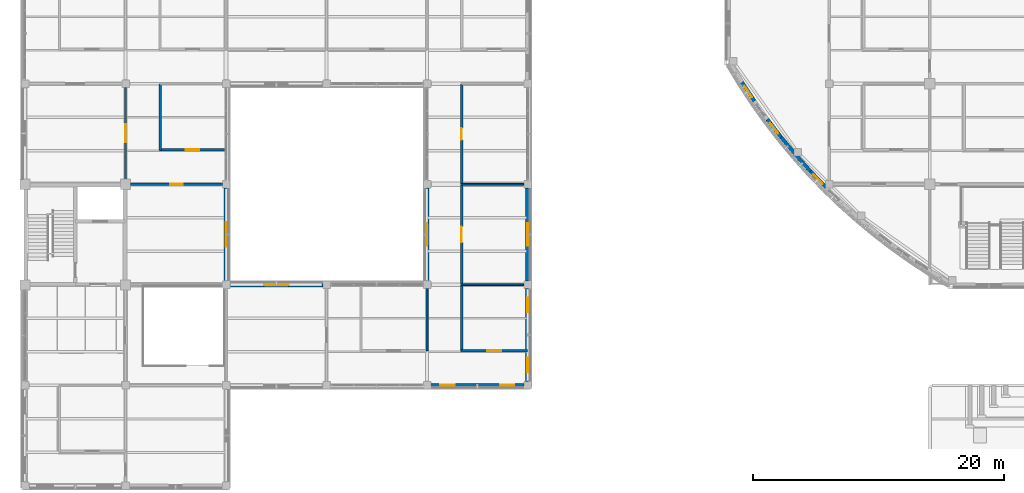
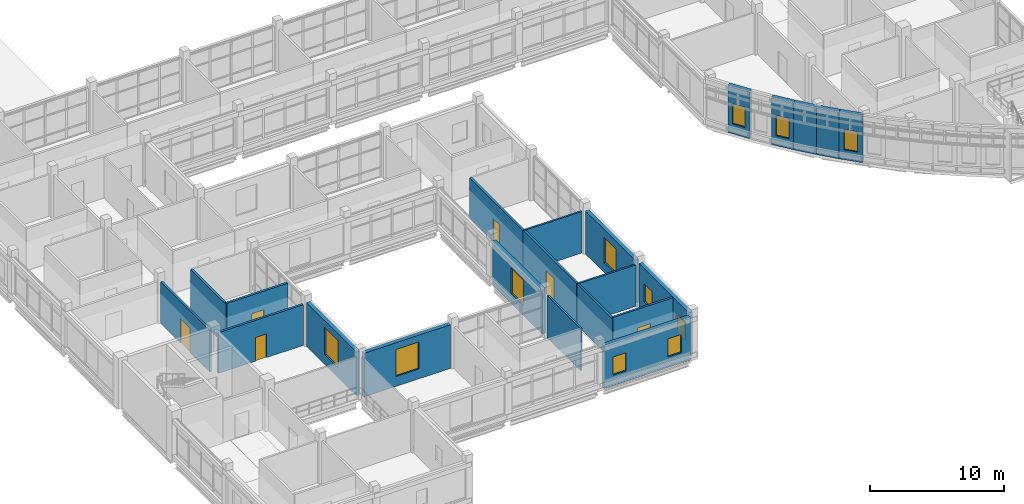
# One storey, part 77 of 121: 22 walls, 11 windows, 6 doors, 17 openings.
"""IFC4 building model written with IfcOpenShell, lengths in metres."""

from ifc_helpers import new_model, si_unit, derived_unit, direction, frame, frame_2d, origin, place, context, subcontext, project, spatial, rectangle, extrude, material, layer, layer_set, type_object, element, fill, save


model = new_model("IFC4")

# Units and contexts
model_context = context("Model", 3, precision=1e-05, world=origin(), true_north=direction((0.0, 1.0)))
body_context = subcontext(model_context, "Body", "Model", "MODEL_VIEW")
ifc_project = project(units=[si_unit("LENGTHUNIT", "METRE"), si_unit("AREAUNIT", "SQUARE_METRE"), si_unit("VOLUMEUNIT", "CUBIC_METRE"), si_unit("PLANEANGLEUNIT", "RADIAN"), si_unit("MASSUNIT", "GRAM", prefix="KILO"), derived_unit("THERMALTRANSMITTANCEUNIT", [(si_unit("MASSUNIT", "GRAM", prefix="KILO"), 1), (si_unit("TIMEUNIT", "SECOND"), -3), (si_unit("THERMODYNAMICTEMPERATUREUNIT", "KELVIN"), -1)])], contexts=[model_context])

# Site, building, storey
site_placement = place(None, origin())
site = spatial("IfcSite", under=ifc_project, at=site_placement, CompositionType="ELEMENT")
building_placement = place(site_placement, origin())
building = spatial("IfcBuilding", under=site, at=building_placement, Name="Veyamyaing Civic Hall", CompositionType="ELEMENT")
storey_placement = place(building_placement, frame((0.0, 0.0, 5.280029296875)))
storey = spatial("IfcBuildingStorey", under=building, at=storey_placement, Name="L01", CompositionType="ELEMENT", Elevation=5.280029296875)

# Wall, opening, window
ifc_material_1 = material(Name="Precast concrete C40/50", Category="concrete")
ifc_layer_1 = layer(ifc_material_1, 0.320068359375, Name="Precast concrete C40/50")
ifc_layer_set_1 = layer_set([ifc_layer_1], Name="Precast concrete C40/50")
wall_type_1 = type_object("IfcWallType", Name="WT-02", PredefinedType="SOLIDWALL", material=ifc_layer_set_1)
wall_1_placement = place(storey_placement, frame((16.0, 16.284912109375, 0.0), z_axis=(0.0, 0.0, 1.0), x_axis=(0.0, 1.0, 0.0)))
wall_1 = element("IfcWall", 1, at=wall_1_placement, inside=storey, type_object=wall_type_1, Name="Exterior facade wall WT-02 L01 E 2.3", PredefinedType="SOLIDWALL", context=body_context, shape_type="SweptSolid", body=[
    extrude(rectangle(XDim=7.43017578125, YDim=0.320068359375, at=frame_2d((3.715087890625, 0.0))), origin(), (0.0, 0.0, 1.0), 3.973876953125),
])
opening_1_placement = place(wall_1_placement, frame((2.739990234375, 0.0, 0.89990234375)))
opening_1 = element("IfcOpeningElement", 2, at=opening_1_placement, cuts=wall_1, Name="Opening W-26", PredefinedType="OPENING", context=body_context, shape_type="SweptSolid", body=[
    extrude(rectangle(XDim=1.949951171875, YDim=2.449951171875, at=frame_2d((0.97509765625, 1.22509765625))), frame((0.0, 0.169921875, 0.0), z_axis=(0.0, -1.0, 0.0), x_axis=(1.0, 0.0, 0.0)), (0.0, 0.0, 1.0), 0.340087890625),
])
ifc_material_2 = material(Name="Low-E insulated glass", Category="glass")
window_type_1 = type_object("IfcWindowType", Name="W-26", PartitioningType="SINGLE_PANEL", PredefinedType="WINDOW", material=ifc_material_2)
window_1_placement = place(opening_1_placement, origin())
window_1 = element("IfcWindow", 3, at=window_1_placement, inside=storey, type_object=window_type_1, Name="Facade window W-26 L01 E 2.3", OverallHeight=2.449951171875, OverallWidth=1.949951171875, PartitioningType="SINGLE_PANEL", PredefinedType="WINDOW", context=body_context, shape_type="SweptSolid", body=[
    extrude(rectangle(XDim=1.949951171875, YDim=2.449951171875, at=frame_2d((0.97509765625, 1.22509765625))), frame((0.0, 0.030029296875, 0.0), z_axis=(0.0, -1.0, 0.0), x_axis=(1.0, 0.0, 0.0)), (0.0, 0.0, 1.0), 0.06005859375),
])
fill(opening_1, window_1)

wall_2_placement = place(storey_placement, frame((16.284912109375, 16.0, 0.0), z_axis=(0.0, 0.0, 1.0), x_axis=(1.0, 0.0, 0.0)))
wall_2 = element("IfcWall", 4, at=wall_2_placement, inside=storey, type_object=wall_type_1, Name="Exterior facade wall WT-02 L01 N 3.2", PredefinedType="SOLIDWALL", context=body_context, shape_type="SweptSolid", body=[
    extrude(rectangle(XDim=7.43017578125, YDim=0.320068359375, at=frame_2d((3.715087890625, 0.0))), origin(), (0.0, 0.0, 1.0), 3.973876953125),
])
opening_2_placement = place(wall_2_placement, frame((2.739990234375, 0.0, 0.89990234375)))
opening_2 = element("IfcOpeningElement", 5, at=opening_2_placement, cuts=wall_2, Name="Opening W-26", PredefinedType="OPENING", context=body_context, shape_type="SweptSolid", body=[
    extrude(rectangle(XDim=1.949951171875, YDim=2.449951171875, at=frame_2d((0.97509765625, 1.22509765625))), frame((0.0, 0.169921875, 0.0), z_axis=(0.0, -1.0, 0.0), x_axis=(1.0, 0.0, 0.0)), (0.0, 0.0, 1.0), 0.340087890625),
])
window_2_placement = place(opening_2_placement, origin())
window_2 = element("IfcWindow", 6, at=window_2_placement, inside=storey, type_object=window_type_1, Name="Facade window W-26 L01 N 3.2", OverallHeight=2.449951171875, OverallWidth=1.949951171875, PartitioningType="SINGLE_PANEL", PredefinedType="WINDOW", context=body_context, shape_type="SweptSolid", body=[
    extrude(rectangle(XDim=1.949951171875, YDim=2.449951171875, at=frame_2d((0.97509765625, 1.22509765625))), frame((0.0, 0.030029296875, 0.0), z_axis=(0.0, -1.0, 0.0), x_axis=(1.0, 0.0, 0.0)), (0.0, 0.0, 1.0), 0.06005859375),
])
fill(opening_2, window_2)

# Wall, openings, windows
wall_3_placement = place(storey_placement, frame((32.284912109375, 8.0, 0.0), z_axis=(0.0, 0.0, 1.0), x_axis=(1.0, 0.0, 0.0)))
wall_3 = element("IfcWall", 7, at=wall_3_placement, inside=storey, type_object=wall_type_1, Name="Exterior facade wall WT-02 L01 S 5.2", PredefinedType="SOLIDWALL", context=body_context, shape_type="SweptSolid", body=[
    extrude(rectangle(XDim=7.43017578125, YDim=0.320068359375, at=frame_2d((3.715087890625, 0.0))), origin(), (0.0, 0.0, 1.0), 3.9140625),
])
opening_3_placement = place(wall_3_placement, frame((0.762451171875, 0.0, 0.949951171875)))
opening_3 = element("IfcOpeningElement", 8, at=opening_3_placement, cuts=wall_3, Name="Opening W-32", PredefinedType="OPENING", context=body_context, shape_type="SweptSolid", body=[
    extrude(rectangle(XDim=1.14990234375, YDim=1.64990234375, at=frame_2d((0.574951171875, 0.824951171875))), frame((0.0, 0.169921875, 0.0), z_axis=(0.0, -1.0, 0.0), x_axis=(1.0, 0.0, 0.0)), (0.0, 0.0, 1.0), 0.340087890625),
])
opening_4_placement = place(wall_3_placement, frame((5.517578125, 0.0, 0.949951171875)))
opening_4 = element("IfcOpeningElement", 9, at=opening_4_placement, cuts=wall_3, Name="Opening W-32", PredefinedType="OPENING", context=body_context, shape_type="SweptSolid", body=[
    extrude(rectangle(XDim=1.14990234375, YDim=1.64990234375, at=frame_2d((0.574951171875, 0.824951171875))), frame((0.0, 0.169921875, 0.0), z_axis=(0.0, -1.0, 0.0), x_axis=(1.0, 0.0, 0.0)), (0.0, 0.0, 1.0), 0.340087890625),
])
window_type_2 = type_object("IfcWindowType", Name="W-32", PartitioningType="SINGLE_PANEL", PredefinedType="WINDOW", material=ifc_material_2)
window_3_placement = place(opening_3_placement, origin())
window_3 = element("IfcWindow", 10, at=window_3_placement, inside=storey, type_object=window_type_2, Name="Facade window W-32 L01 S 5.2.1", OverallHeight=1.64990234375, OverallWidth=1.14990234375, PartitioningType="SINGLE_PANEL", PredefinedType="WINDOW", context=body_context, shape_type="SweptSolid", body=[
    extrude(rectangle(XDim=1.14990234375, YDim=1.64990234375, at=frame_2d((0.574951171875, 0.824951171875))), frame((0.0, 0.030029296875, 0.0), z_axis=(0.0, -1.0, 0.0), x_axis=(1.0, 0.0, 0.0)), (0.0, 0.0, 1.0), 0.06005859375),
])
fill(opening_3, window_3)
window_4_placement = place(opening_4_placement, origin())
window_4 = element("IfcWindow", 11, at=window_4_placement, inside=storey, type_object=window_type_2, Name="Facade window W-32 L01 S 5.2.2", OverallHeight=1.64990234375, OverallWidth=1.14990234375, PartitioningType="SINGLE_PANEL", PredefinedType="WINDOW", context=body_context, shape_type="SweptSolid", body=[
    extrude(rectangle(XDim=1.14990234375, YDim=1.64990234375, at=frame_2d((0.574951171875, 0.824951171875))), frame((0.0, 0.030029296875, 0.0), z_axis=(0.0, -1.0, 0.0), x_axis=(1.0, 0.0, 0.0)), (0.0, 0.0, 1.0), 0.06005859375),
])
fill(opening_4, window_4)

wall_4_placement = place(storey_placement, frame((40.0, 8.284912109375, 0.0), z_axis=(0.0, 0.0, 1.0), x_axis=(0.0, 1.0, 0.0)))
wall_4 = element("IfcWall", 12, at=wall_4_placement, inside=storey, type_object=wall_type_1, Name="Exterior facade wall WT-02 L01 E 5.2", PredefinedType="SOLIDWALL", context=body_context, shape_type="SweptSolid", body=[
    extrude(rectangle(XDim=7.43017578125, YDim=0.320068359375, at=frame_2d((3.715087890625, 0.0))), origin(), (0.0, 0.0, 1.0), 3.97705078125),
])
opening_5_placement = place(wall_4_placement, frame((0.762451171875, 0.0, 0.949951171875)))
opening_5 = element("IfcOpeningElement", 13, at=opening_5_placement, cuts=wall_4, Name="Opening W-32", PredefinedType="OPENING", context=body_context, shape_type="SweptSolid", body=[
    extrude(rectangle(XDim=1.14990234375, YDim=1.64990234375, at=frame_2d((0.574951171875, 0.824951171875))), frame((0.0, 0.169921875, 0.0), z_axis=(0.0, -1.0, 0.0), x_axis=(1.0, 0.0, 0.0)), (0.0, 0.0, 1.0), 0.340087890625),
])
opening_6_placement = place(wall_4_placement, frame((5.517578125, 0.0, 0.949951171875)))
opening_6 = element("IfcOpeningElement", 14, at=opening_6_placement, cuts=wall_4, Name="Opening W-32", PredefinedType="OPENING", context=body_context, shape_type="SweptSolid", body=[
    extrude(rectangle(XDim=1.14990234375, YDim=1.64990234375, at=frame_2d((0.574951171875, 0.824951171875))), frame((0.0, 0.169921875, 0.0), z_axis=(0.0, -1.0, 0.0), x_axis=(1.0, 0.0, 0.0)), (0.0, 0.0, 1.0), 0.340087890625),
])
window_5_placement = place(opening_5_placement, origin())
window_5 = element("IfcWindow", 15, at=window_5_placement, inside=storey, type_object=window_type_2, Name="Facade window W-32 L01 E 5.2.1", OverallHeight=1.64990234375, OverallWidth=1.14990234375, PartitioningType="SINGLE_PANEL", PredefinedType="WINDOW", context=body_context, shape_type="SweptSolid", body=[
    extrude(rectangle(XDim=1.14990234375, YDim=1.64990234375, at=frame_2d((0.574951171875, 0.824951171875))), frame((0.0, 0.030029296875, 0.0), z_axis=(0.0, -1.0, 0.0), x_axis=(1.0, 0.0, 0.0)), (0.0, 0.0, 1.0), 0.06005859375),
])
fill(opening_5, window_5)
window_6_placement = place(opening_6_placement, origin())
window_6 = element("IfcWindow", 16, at=window_6_placement, inside=storey, type_object=window_type_2, Name="Facade window W-32 L01 E 5.2.2", OverallHeight=1.64990234375, OverallWidth=1.14990234375, PartitioningType="SINGLE_PANEL", PredefinedType="WINDOW", context=body_context, shape_type="SweptSolid", body=[
    extrude(rectangle(XDim=1.14990234375, YDim=1.64990234375, at=frame_2d((0.574951171875, 0.824951171875))), frame((0.0, 0.030029296875, 0.0), z_axis=(0.0, -1.0, 0.0), x_axis=(1.0, 0.0, 0.0)), (0.0, 0.0, 1.0), 0.06005859375),
])
fill(opening_6, window_6)

# Wall, opening, window
wall_5_placement = place(storey_placement, frame((32.0, 16.284912109375, 0.0), z_axis=(0.0, 0.0, 1.0), x_axis=(0.0, 1.0, 0.0)))
wall_5 = element("IfcWall", 17, at=wall_5_placement, inside=storey, type_object=wall_type_1, Name="Exterior facade wall WT-02 L01 W 5.3", PredefinedType="SOLIDWALL", context=body_context, shape_type="SweptSolid", body=[
    extrude(rectangle(XDim=7.43017578125, YDim=0.320068359375, at=frame_2d((3.715087890625, 0.0))), origin(), (0.0, 0.0, 1.0), 3.97705078125),
])
opening_7_placement = place(wall_5_placement, frame((2.81494140625, 0.0, 0.89990234375)))
opening_7 = element("IfcOpeningElement", 18, at=opening_7_placement, cuts=wall_5, Name="Opening W-06", PredefinedType="OPENING", context=body_context, shape_type="SweptSolid", body=[
    extrude(rectangle(XDim=1.800048828125, YDim=2.300048828125, at=frame_2d((0.89990234375, 1.14990234375))), frame((0.0, 0.169921875, 0.0), z_axis=(0.0, -1.0, 0.0), x_axis=(1.0, 0.0, 0.0)), (0.0, 0.0, 1.0), 0.340087890625),
])
window_type_3 = type_object("IfcWindowType", Name="W-06", PartitioningType="SINGLE_PANEL", PredefinedType="WINDOW", material=ifc_material_2)
window_7_placement = place(opening_7_placement, origin())
window_7 = element("IfcWindow", 19, at=window_7_placement, inside=storey, type_object=window_type_3, Name="Facade window W-06 L01 W 5.3", OverallHeight=2.300048828125, OverallWidth=1.800048828125, PartitioningType="SINGLE_PANEL", PredefinedType="WINDOW", context=body_context, shape_type="SweptSolid", body=[
    extrude(rectangle(XDim=1.800048828125, YDim=2.300048828125, at=frame_2d((0.89990234375, 1.14990234375))), frame((0.0, 0.030029296875, 0.0), z_axis=(0.0, -1.0, 0.0), x_axis=(1.0, 0.0, 0.0)), (0.0, 0.0, 1.0), 0.06005859375),
])
fill(opening_7, window_7)

wall_6_placement = place(storey_placement, frame((40.0, 16.284912109375, 0.0), z_axis=(0.0, 0.0, 1.0), x_axis=(0.0, 1.0, 0.0)))
wall_6 = element("IfcWall", 20, at=wall_6_placement, inside=storey, type_object=wall_type_1, Name="Exterior facade wall WT-02 L01 E 5.3", PredefinedType="SOLIDWALL", context=body_context, shape_type="SweptSolid", body=[
    extrude(rectangle(XDim=7.43017578125, YDim=0.320068359375, at=frame_2d((3.715087890625, 0.0))), origin(), (0.0, 0.0, 1.0), 3.909912109375),
])
opening_8_placement = place(wall_6_placement, frame((2.81494140625, 0.0, 0.89990234375)))
opening_8 = element("IfcOpeningElement", 21, at=opening_8_placement, cuts=wall_6, Name="Opening W-06", PredefinedType="OPENING", context=body_context, shape_type="SweptSolid", body=[
    extrude(rectangle(XDim=1.800048828125, YDim=2.300048828125, at=frame_2d((0.89990234375, 1.14990234375))), frame((0.0, 0.169921875, 0.0), z_axis=(0.0, -1.0, 0.0), x_axis=(1.0, 0.0, 0.0)), (0.0, 0.0, 1.0), 0.340087890625),
])
window_8_placement = place(opening_8_placement, origin())
window_8 = element("IfcWindow", 22, at=window_8_placement, inside=storey, type_object=window_type_3, Name="Facade window W-06 L01 E 5.3", OverallHeight=2.300048828125, OverallWidth=1.800048828125, PartitioningType="SINGLE_PANEL", PredefinedType="WINDOW", context=body_context, shape_type="SweptSolid", body=[
    extrude(rectangle(XDim=1.800048828125, YDim=2.300048828125, at=frame_2d((0.89990234375, 1.14990234375))), frame((0.0, 0.030029296875, 0.0), z_axis=(0.0, -1.0, 0.0), x_axis=(1.0, 0.0, 0.0)), (0.0, 0.0, 1.0), 0.06005859375),
])
fill(opening_8, window_8)

ifc_layer_2 = layer(ifc_material_1, 0.304931640625, Name="Precast concrete C40/50")
ifc_layer_set_2 = layer_set([ifc_layer_2], Name="Precast concrete C40/50")
wall_type_2 = type_object("IfcWallType", Name="WT-03", PredefinedType="SOLIDWALL", material=ifc_layer_set_2)
wall_7_placement = place(storey_placement, frame((57.05615234375, 32.11669921875, 0.0), z_axis=(0.0, 0.0, 1.0), x_axis=(0.547681678944, -0.836686786408, 0.0)))
wall_7 = element("IfcWall", 23, at=wall_7_placement, inside=storey, type_object=wall_type_2, Name="Curved corner facade wall WT-03 L01 SW.2", PredefinedType="SOLIDWALL", context=body_context, shape_type="SweptSolid", body=[
    extrude(rectangle(XDim=1.795166015625, YDim=0.304931640625, at=frame_2d((0.8974609375, 0.0))), origin(), (0.0, 0.0, 1.0), 4.3349609375),
])
opening_9_placement = place(wall_7_placement, frame((0.37255859375, 0.0, 0.89990234375)))
opening_9 = element("IfcOpeningElement", 24, at=opening_9_placement, cuts=wall_7, Name="Opening W-16", PredefinedType="OPENING", context=body_context, shape_type="SweptSolid", body=[
    extrude(rectangle(XDim=1.050048828125, YDim=1.85009765625, at=frame_2d((0.52490234375, 0.925048828125))), frame((0.0, 0.162353515625, 0.0), z_axis=(0.0, -1.0, 0.0), x_axis=(1.0, 0.0, 0.0)), (0.0, 0.0, 1.0), 0.324951171875),
])
window_type_4 = type_object("IfcWindowType", Name="W-16", PartitioningType="SINGLE_PANEL", PredefinedType="WINDOW", material=ifc_material_2)
window_9_placement = place(opening_9_placement, origin())
window_9 = element("IfcWindow", 25, at=window_9_placement, inside=storey, type_object=window_type_4, Name="Curved ribbon window W-16 L01 SW.2", OverallHeight=1.85009765625, OverallWidth=1.050048828125, PartitioningType="SINGLE_PANEL", PredefinedType="WINDOW", context=body_context, shape_type="SweptSolid", body=[
    extrude(rectangle(XDim=1.050048828125, YDim=1.85009765625, at=frame_2d((0.52490234375, 0.925048828125))), frame((0.0, 0.030029296875, 0.0), z_axis=(0.0, -1.0, 0.0), x_axis=(1.0, 0.0, 0.0)), (0.0, 0.0, 1.0), 0.06005859375),
])
fill(opening_9, window_9)

wall_8_placement = place(storey_placement, frame((59.071533203125, 29.16015625, 0.0), z_axis=(0.0, 0.0, 1.0), x_axis=(0.608776981616, -0.793341406114, 0.0)))
wall_8 = element("IfcWall", 26, at=wall_8_placement, inside=storey, type_object=wall_type_2, Name="Curved corner facade wall WT-03 L01 SW.4", PredefinedType="SOLIDWALL", context=body_context, shape_type="SweptSolid", body=[
    extrude(rectangle(XDim=1.794921875, YDim=0.304931640625, at=frame_2d((0.8974609375, 0.0))), origin(), (0.0, 0.0, 1.0), 4.3349609375),
])
opening_10_placement = place(wall_8_placement, frame((0.37255859375, 0.0, 0.89990234375)))
opening_10 = element("IfcOpeningElement", 27, at=opening_10_placement, cuts=wall_8, Name="Opening W-16", PredefinedType="OPENING", context=body_context, shape_type="SweptSolid", body=[
    extrude(rectangle(XDim=1.050048828125, YDim=1.85009765625, at=frame_2d((0.52490234375, 0.925048828125))), frame((0.0, 0.162353515625, 0.0), z_axis=(0.0, -1.0, 0.0), x_axis=(1.0, 0.0, 0.0)), (0.0, 0.0, 1.0), 0.324951171875),
])
window_10_placement = place(opening_10_placement, origin())
window_10 = element("IfcWindow", 28, at=window_10_placement, inside=storey, type_object=window_type_4, Name="Curved ribbon window W-16 L01 SW.4", OverallHeight=1.85009765625, OverallWidth=1.050048828125, PartitioningType="SINGLE_PANEL", PredefinedType="WINDOW", context=body_context, shape_type="SweptSolid", body=[
    extrude(rectangle(XDim=1.050048828125, YDim=1.85009765625, at=frame_2d((0.52490234375, 0.925048828125))), frame((0.0, 0.030029296875, 0.0), z_axis=(0.0, -1.0, 0.0), x_axis=(1.0, 0.0, 0.0)), (0.0, 0.0, 1.0), 0.06005859375),
])
fill(opening_10, window_10)

# Walls
wall_9_placement = place(storey_placement, frame((60.16064453125, 27.740478515625, 0.0), z_axis=(0.0, 0.0, 1.0), x_axis=(0.638054732073, -0.769991012207, 0.0)))
element("IfcWall", 29, at=wall_9_placement, inside=storey, type_object=wall_type_2, Name="Curved corner facade wall WT-03 L01 SW.5", PredefinedType="SOLIDWALL", context=body_context, shape_type="SweptSolid", body=[
    extrude(rectangle(XDim=1.794921875, YDim=0.304931640625, at=frame_2d((0.8974609375, 0.0))), origin(), (0.0, 0.0, 1.0), 4.3349609375),
])
wall_10_placement = place(storey_placement, frame((61.30224609375, 26.36279296875, 0.0), z_axis=(0.0, 0.0, 1.0), x_axis=(0.666277888361, -0.745703543965, 0.0)))
element("IfcWall", 30, at=wall_10_placement, inside=storey, type_object=wall_type_2, Name="Curved corner facade wall WT-03 L01 SW.6", PredefinedType="SOLIDWALL", context=body_context, shape_type="SweptSolid", body=[
    extrude(rectangle(XDim=1.795166015625, YDim=0.304931640625, at=frame_2d((0.8974609375, 0.0))), origin(), (0.0, 0.0, 1.0), 4.3349609375),
])

# Wall, opening, window
wall_11_placement = place(storey_placement, frame((62.494384765625, 25.028564453125, 0.0), z_axis=(0.0, 0.0, 1.0), x_axis=(0.693722700342, -0.720242191926, 0.0)))
wall_11 = element("IfcWall", 31, at=wall_11_placement, inside=storey, type_object=wall_type_2, Name="Curved corner facade wall WT-03 L01 SW.7", PredefinedType="SOLIDWALL", context=body_context, shape_type="SweptSolid", body=[
    extrude(rectangle(XDim=1.795166015625, YDim=0.304931640625, at=frame_2d((0.8974609375, 0.0))), origin(), (0.0, 0.0, 1.0), 4.3349609375),
])
opening_11_placement = place(wall_11_placement, frame((0.37255859375, 0.0, 0.89990234375)))
opening_11 = element("IfcOpeningElement", 32, at=opening_11_placement, cuts=wall_11, Name="Opening W-16", PredefinedType="OPENING", context=body_context, shape_type="SweptSolid", body=[
    extrude(rectangle(XDim=1.050048828125, YDim=1.85009765625, at=frame_2d((0.52490234375, 0.925048828125))), frame((0.0, 0.162353515625, 0.0), z_axis=(0.0, -1.0, 0.0), x_axis=(1.0, 0.0, 0.0)), (0.0, 0.0, 1.0), 0.324951171875),
])
window_11_placement = place(opening_11_placement, origin())
window_11 = element("IfcWindow", 33, at=window_11_placement, inside=storey, type_object=window_type_4, Name="Curved ribbon window W-16 L01 SW.7", OverallHeight=1.85009765625, OverallWidth=1.050048828125, PartitioningType="SINGLE_PANEL", PredefinedType="WINDOW", context=body_context, shape_type="SweptSolid", body=[
    extrude(rectangle(XDim=1.050048828125, YDim=1.85009765625, at=frame_2d((0.52490234375, 0.925048828125))), frame((0.0, 0.030029296875, 0.0), z_axis=(0.0, -1.0, 0.0), x_axis=(1.0, 0.0, 0.0)), (0.0, 0.0, 1.0), 0.06005859375),
])
fill(opening_11, window_11)

# Wall, opening, door
ifc_material_3 = material(Name="Gypsum board on acoustic steel stud", Category="steel")
ifc_layer_3 = layer(ifc_material_3, 0.175048828125, Name="Gypsum board on acoustic steel stud")
ifc_layer_set_3 = layer_set([ifc_layer_3], Name="Gypsum board on acoustic steel stud")
wall_type_3 = type_object("IfcWallType", Name="WT-07", PredefinedType="PARTITIONING", material=ifc_layer_set_3)
wall_12_placement = place(storey_placement, frame((34.699951171875, 10.75, 0.0), z_axis=(0.0, 0.0, 1.0), x_axis=(1.0, 0.0, 0.0)))
wall_12 = element("IfcWall", 34, at=wall_12_placement, inside=storey, type_object=wall_type_3, Name="Corridor gallery partition WT-07 L01.25.1", PredefinedType="PARTITIONING", context=body_context, shape_type="SweptSolid", body=[
    extrude(rectangle(XDim=5.280029296875, YDim=0.175048828125, at=frame_2d((2.64013671875, 0.0))), origin(), (0.0, 0.0, 1.0), 3.9130859375),
])
opening_12_placement = place(wall_12_placement, frame((2.080078125, 0.0, 0.0)))
opening_12 = element("IfcOpeningElement", 35, at=opening_12_placement, cuts=wall_12, Name="Opening D-26", PredefinedType="OPENING", context=body_context, shape_type="SweptSolid", body=[
    extrude(rectangle(XDim=1.1201171875, YDim=2.219970703125, at=frame_2d((0.56005859375, 1.10986328125))), frame((0.0, 0.097412109375, 0.0), z_axis=(0.0, -1.0, 0.0), x_axis=(1.0, 0.0, 0.0)), (0.0, 0.0, 1.0), 0.195068359375),
])
ifc_material_4 = material(Name="Teak-veneered acoustic timber", Category="wood")
door_type_1 = type_object("IfcDoorType", Name="D-26", OperationType="NOTDEFINED", PredefinedType="DOOR", material=ifc_material_4)
door_1_placement = place(opening_12_placement, origin())
door_1 = element("IfcDoor", 36, at=door_1_placement, inside=storey, type_object=door_type_1, Name="Gallery office door D-26 L01.25", OperationType="SINGLE_SWING_LEFT", OverallHeight=2.219970703125, OverallWidth=1.1201171875, PredefinedType="DOOR", context=body_context, shape_type="SweptSolid", body=[
    extrude(rectangle(XDim=1.1201171875, YDim=2.219970703125, at=frame_2d((0.56005859375, 1.10986328125))), frame((0.0, 0.02490234375, 0.0), z_axis=(0.0, -1.0, 0.0), x_axis=(1.0, 0.0, 0.0)), (0.0, 0.0, 1.0), 0.050048828125),
])
fill(opening_12, door_1)

# Wall
wall_13_placement = place(storey_placement, frame((34.75, 10.699951171875, 0.0), z_axis=(0.0, 0.0, 1.0), x_axis=(0.0, 1.0, 0.0)))
element("IfcWall", 37, at=wall_13_placement, inside=storey, type_object=wall_type_3, Name="Corridor gallery partition WT-07 L01.25.2", PredefinedType="PARTITIONING", context=body_context, shape_type="SweptSolid", body=[
    extrude(rectangle(XDim=5.280029296875, YDim=0.175048828125, at=frame_2d((2.64013671875, 0.0))), origin(), (0.0, 0.0, 1.0), 3.77099609375),
])

# Wall, opening, door
wall_14_placement = place(storey_placement, frame((34.75, 24.02001953125, 0.0), z_axis=(0.0, 0.0, 1.0), x_axis=(0.0, 1.0, 0.0)))
wall_14 = element("IfcWall", 38, at=wall_14_placement, inside=storey, type_object=wall_type_3, Name="Corridor gallery partition WT-07 L01.27.1", PredefinedType="PARTITIONING", context=body_context, shape_type="SweptSolid", body=[
    extrude(rectangle(XDim=7.9599609375, YDim=0.175048828125, at=frame_2d((3.97998046875, 0.0))), origin(), (0.0, 0.0, 1.0), 3.7119140625),
])
opening_13_placement = place(wall_14_placement, frame((3.510009765625, 0.0, 0.0)))
opening_13 = element("IfcOpeningElement", 39, at=opening_13_placement, cuts=wall_14, Name="Opening D-30", PredefinedType="OPENING", context=body_context, shape_type="SweptSolid", body=[
    extrude(rectangle(XDim=0.93994140625, YDim=2.1201171875, at=frame_2d((0.469970703125, 1.06005859375))), frame((0.0, 0.097412109375, 0.0), z_axis=(0.0, -1.0, 0.0), x_axis=(1.0, 0.0, 0.0)), (0.0, 0.0, 1.0), 0.195068359375),
])
door_type_2 = type_object("IfcDoorType", Name="D-30", OperationType="NOTDEFINED", PredefinedType="DOOR", material=ifc_material_4)
door_2_placement = place(opening_13_placement, frame((0.93994140625, 0.0, 0.0), z_axis=(0.0, 0.0, 1.0), x_axis=(-1.0, 0.0, 0.0)))
door_2 = element("IfcDoor", 40, at=door_2_placement, inside=storey, type_object=door_type_2, Name="Gallery office door D-30 L01.27", OperationType="SINGLE_SWING_LEFT", OverallHeight=2.1201171875, OverallWidth=0.93994140625, PredefinedType="DOOR", context=body_context, shape_type="SweptSolid", body=[
    extrude(rectangle(XDim=0.93994140625, YDim=2.1201171875, at=frame_2d((0.469970703125, 1.06005859375))), frame((0.0, 0.02490234375, 0.0), z_axis=(0.0, -1.0, 0.0), x_axis=(1.0, 0.0, 0.0)), (0.0, 0.0, 1.0), 0.050048828125),
])
fill(opening_13, door_2)

wall_15_placement = place(storey_placement, frame((8.0, 24.389892578125, 0.0), z_axis=(0.0, 0.0, 1.0), x_axis=(0.0, 1.0, 0.0)))
wall_15 = element("IfcWall", 41, at=wall_15_placement, inside=storey, type_object=wall_type_3, Name="Interior partition wall WT-07 L01.3", PredefinedType="PARTITIONING", context=body_context, shape_type="SweptSolid", body=[
    extrude(rectangle(XDim=7.320068359375, YDim=0.175048828125, at=frame_2d((3.66015625, 0.0))), origin(), (0.0, 0.0, 1.0), 3.786865234375),
])
opening_14_placement = place(wall_15_placement, frame((2.93505859375, 0.0, 0.0)))
opening_14 = element("IfcOpeningElement", 42, at=opening_14_placement, cuts=wall_15, Name="Opening D-28", PredefinedType="OPENING", context=body_context, shape_type="SweptSolid", body=[
    extrude(rectangle(XDim=1.449951171875, YDim=2.219970703125, at=frame_2d((0.72509765625, 1.10986328125))), frame((0.0, 0.097412109375, 0.0), z_axis=(0.0, -1.0, 0.0), x_axis=(1.0, 0.0, 0.0)), (0.0, 0.0, 1.0), 0.195068359375),
])
door_type_3 = type_object("IfcDoorType", Name="D-28", OperationType="DOUBLE_DOOR_SINGLE_SWING", PredefinedType="DOOR", material=ifc_material_4)
door_3_placement = place(opening_14_placement, origin())
door_3 = element("IfcDoor", 43, at=door_3_placement, inside=storey, type_object=door_type_3, Name="Interior door D-28 L01.3", OperationType="DOUBLE_DOOR_SINGLE_SWING", OverallHeight=2.219970703125, OverallWidth=1.449951171875, PredefinedType="DOOR", context=body_context, shape_type="SweptSolid", body=[
    extrude(rectangle(XDim=1.449951171875, YDim=2.219970703125, at=frame_2d((0.72509765625, 1.10986328125))), frame((0.0, 0.02490234375, 0.0), z_axis=(0.0, -1.0, 0.0), x_axis=(1.0, 0.0, 0.0)), (0.0, 0.0, 1.0), 0.050048828125),
])
fill(opening_14, door_3)

# Walls
ifc_material_5 = material(Name="Gypsum board on steel stud", Category="steel")
ifc_layer_4 = layer(ifc_material_5, 0.14990234375, Name="Gypsum board on steel stud")
ifc_layer_set_4 = layer_set([ifc_layer_4], Name="Gypsum board on steel stud")
wall_type_4 = type_object("IfcWallType", Name="WT-08", PredefinedType="PARTITIONING", material=ifc_layer_set_4)
wall_16_placement = place(storey_placement, frame((32.0, 10.75, 0.0), z_axis=(0.0, 0.0, 1.0), x_axis=(0.0, 1.0, 0.0)))
element("IfcWall", 44, at=wall_16_placement, inside=storey, type_object=wall_type_4, Name="Gallery office end partition WT-08 L01.21.2", PredefinedType="PARTITIONING", context=body_context, shape_type="SweptSolid", body=[
    extrude(rectangle(XDim=4.93994140625, YDim=0.14990234375, at=frame_2d((2.469970703125, 0.0))), origin(), (0.0, 0.0, 1.0), 3.85693359375),
])
wall_17_placement = place(storey_placement, frame((34.75, 16.0, 0.0), z_axis=(0.0, 0.0, 1.0), x_axis=(1.0, 0.0, 0.0)))
element("IfcWall", 45, at=wall_17_placement, inside=storey, type_object=wall_type_4, Name="Gallery office end partition WT-08 L01.25.1", PredefinedType="PARTITIONING", context=body_context, shape_type="SweptSolid", body=[
    extrude(rectangle(XDim=4.93994140625, YDim=0.14990234375, at=frame_2d((2.469970703125, 0.0))), origin(), (0.0, 0.0, 1.0), 3.77099609375),
])
wall_18_placement = place(storey_placement, frame((34.75, 24.0, 0.0), z_axis=(0.0, 0.0, 1.0), x_axis=(1.0, 0.0, 0.0)))
element("IfcWall", 46, at=wall_18_placement, inside=storey, type_object=wall_type_4, Name="Gallery office end partition WT-08 L01.26.2", PredefinedType="PARTITIONING", context=body_context, shape_type="SweptSolid", body=[
    extrude(rectangle(XDim=4.93994140625, YDim=0.14990234375, at=frame_2d((2.469970703125, 0.0))), origin(), (0.0, 0.0, 1.0), 3.781005859375),
])

# Wall, opening, door
ifc_material_6 = material(Name="Gypsum board on double acoustic stud")
ifc_layer_5 = layer(ifc_material_6, 0.18505859375, Name="Gypsum board on double acoustic stud")
ifc_layer_set_5 = layer_set([ifc_layer_5], Name="Gypsum board on double acoustic stud")
wall_type_5 = type_object("IfcWallType", Name="WT-19", PredefinedType="PARTITIONING", material=ifc_layer_set_5)
wall_19_placement = place(storey_placement, frame((10.699951171875, 26.75, 0.0), z_axis=(0.0, 0.0, 1.0), x_axis=(1.0, 0.0, 0.0)))
wall_19 = element("IfcWall", 47, at=wall_19_placement, inside=storey, type_object=wall_type_5, Name="Corridor gallery partition WT-19 L01.12.1", PredefinedType="PARTITIONING", context=body_context, shape_type="SweptSolid", body=[
    extrude(rectangle(XDim=5.280029296875, YDim=0.18505859375, at=frame_2d((2.64013671875, 0.0))), origin(), (0.0, 0.0, 1.0), 3.906982421875),
])
opening_15_placement = place(wall_19_placement, frame((2.10009765625, 0.0, 0.0)))
opening_15 = element("IfcOpeningElement", 48, at=opening_15_placement, cuts=wall_19, Name="Opening D-23", PredefinedType="OPENING", context=body_context, shape_type="SweptSolid", body=[
    extrude(rectangle(XDim=1.080078125, YDim=2.199951171875, at=frame_2d((0.5400390625, 1.10009765625))), frame((0.0, 0.1025390625, 0.0), z_axis=(0.0, -1.0, 0.0), x_axis=(1.0, 0.0, 0.0)), (0.0, 0.0, 1.0), 0.205078125),
])
door_type_4 = type_object("IfcDoorType", Name="D-23", OperationType="NOTDEFINED", PredefinedType="DOOR", material=ifc_material_4)
door_4_placement = place(opening_15_placement, origin())
door_4 = element("IfcDoor", 49, at=door_4_placement, inside=storey, type_object=door_type_4, Name="Gallery office door D-23 L01.12", OperationType="SINGLE_SWING_RIGHT", OverallHeight=2.199951171875, OverallWidth=1.080078125, PredefinedType="DOOR", context=body_context, shape_type="SweptSolid", body=[
    extrude(rectangle(XDim=1.080078125, YDim=2.199951171875, at=frame_2d((0.5400390625, 1.10009765625))), frame((0.0, 0.02490234375, 0.0), z_axis=(0.0, -1.0, 0.0), x_axis=(1.0, 0.0, 0.0)), (0.0, 0.0, 1.0), 0.050048828125),
])
fill(opening_15, door_4)

# Wall
wall_20_placement = place(storey_placement, frame((10.75, 26.699951171875, 0.0), z_axis=(0.0, 0.0, 1.0), x_axis=(0.0, 1.0, 0.0)))
element("IfcWall", 50, at=wall_20_placement, inside=storey, type_object=wall_type_5, Name="Corridor gallery partition WT-19 L01.12.2", PredefinedType="PARTITIONING", context=body_context, shape_type="SweptSolid", body=[
    extrude(rectangle(XDim=5.280029296875, YDim=0.18505859375, at=frame_2d((2.64013671875, 0.0))), origin(), (0.0, 0.0, 1.0), 3.786865234375),
])

# Wall, opening, door
wall_21_placement = place(storey_placement, frame((34.75, 16.02001953125, 0.0), z_axis=(0.0, 0.0, 1.0), x_axis=(0.0, 1.0, 0.0)))
wall_21 = element("IfcWall", 51, at=wall_21_placement, inside=storey, type_object=wall_type_5, Name="Corridor gallery partition WT-19 L01.26.1", PredefinedType="PARTITIONING", context=body_context, shape_type="SweptSolid", body=[
    extrude(rectangle(XDim=7.9599609375, YDim=0.18505859375, at=frame_2d((3.97998046875, 0.0))), origin(), (0.0, 0.0, 1.0), 3.77099609375),
])
opening_16_placement = place(wall_21_placement, frame((3.35498046875, 0.0, 0.0)))
opening_16 = element("IfcOpeningElement", 52, at=opening_16_placement, cuts=wall_21, Name="Opening D-29", PredefinedType="OPENING", context=body_context, shape_type="SweptSolid", body=[
    extrude(rectangle(XDim=1.25, YDim=2.179931640625, at=frame_2d((0.625, 1.08984375))), frame((0.0, 0.1025390625, 0.0), z_axis=(0.0, -1.0, 0.0), x_axis=(1.0, 0.0, 0.0)), (0.0, 0.0, 1.0), 0.205078125),
])
door_type_5 = type_object("IfcDoorType", Name="D-29", OperationType="NOTDEFINED", PredefinedType="DOOR", material=ifc_material_4)
door_5_placement = place(opening_16_placement, frame((1.25, 0.0, 0.0), z_axis=(0.0, 0.0, 1.0), x_axis=(-1.0, 0.0, 0.0)))
door_5 = element("IfcDoor", 53, at=door_5_placement, inside=storey, type_object=door_type_5, Name="Gallery office door D-29 L01.26", OperationType="SINGLE_SWING_RIGHT", OverallHeight=2.179931640625, OverallWidth=1.25, PredefinedType="DOOR", context=body_context, shape_type="SweptSolid", body=[
    extrude(rectangle(XDim=1.25, YDim=2.179931640625, at=frame_2d((0.625, 1.08984375))), frame((0.0, 0.02490234375, 0.0), z_axis=(0.0, -1.0, 0.0), x_axis=(1.0, 0.0, 0.0)), (0.0, 0.0, 1.0), 0.050048828125),
])
fill(opening_16, door_5)

wall_22_placement = place(storey_placement, frame((8.389892578125, 24.0, 0.0), z_axis=(0.0, 0.0, 1.0), x_axis=(1.0, 0.0, 0.0)))
wall_22 = element("IfcWall", 54, at=wall_22_placement, inside=storey, type_object=wall_type_5, Name="Interior partition wall WT-19 L01.10", PredefinedType="PARTITIONING", context=body_context, shape_type="SweptSolid", body=[
    extrude(rectangle(XDim=7.320068359375, YDim=0.18505859375, at=frame_2d((3.66015625, 0.0))), origin(), (0.0, 0.0, 1.0), 3.7119140625),
])
opening_17_placement = place(wall_22_placement, frame((3.169921875, 0.0, 0.0)))
opening_17 = element("IfcOpeningElement", 55, at=opening_17_placement, cuts=wall_22, Name="Opening D-14", PredefinedType="OPENING", context=body_context, shape_type="SweptSolid", body=[
    extrude(rectangle(XDim=0.97998046875, YDim=2.14990234375, at=frame_2d((0.489990234375, 1.074951171875))), frame((0.0, 0.1025390625, 0.0), z_axis=(0.0, -1.0, 0.0), x_axis=(1.0, 0.0, 0.0)), (0.0, 0.0, 1.0), 0.205078125),
])
door_type_6 = type_object("IfcDoorType", Name="D-14", OperationType="NOTDEFINED", PredefinedType="DOOR", material=ifc_material_4)
door_6_placement = place(opening_17_placement, frame((0.97998046875, 0.0, 0.0), z_axis=(0.0, 0.0, 1.0), x_axis=(-1.0, 0.0, 0.0)))
door_6 = element("IfcDoor", 56, at=door_6_placement, inside=storey, type_object=door_type_6, Name="Interior door D-14 L01.10", OperationType="SINGLE_SWING_LEFT", OverallHeight=2.14990234375, OverallWidth=0.97998046875, PredefinedType="DOOR", context=body_context, shape_type="SweptSolid", body=[
    extrude(rectangle(XDim=0.97998046875, YDim=2.14990234375, at=frame_2d((0.489990234375, 1.074951171875))), frame((0.0, 0.02490234375, 0.0), z_axis=(0.0, -1.0, 0.0), x_axis=(1.0, 0.0, 0.0)), (0.0, 0.0, 1.0), 0.050048828125),
])
fill(opening_17, door_6)

save(model, "model.ifc")
